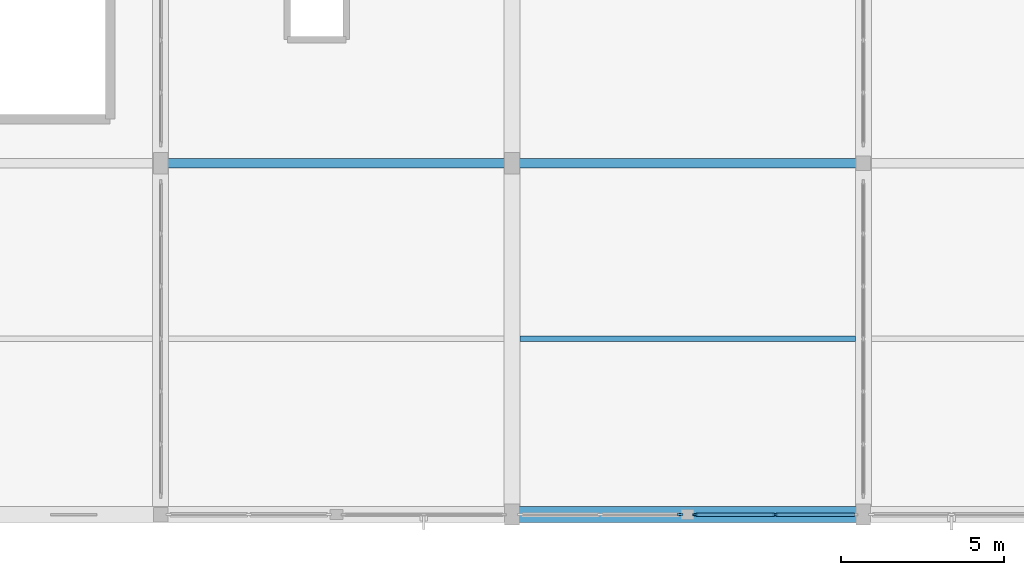
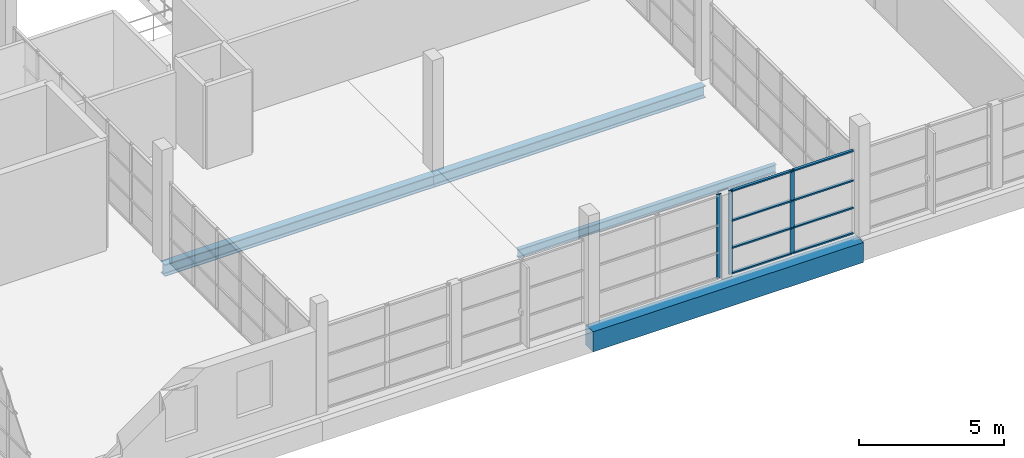
# One storey, part 8 of 142: 11 members, 4 beams, 2 elements without a shape of their own.
"""IFC4 building model written with IfcOpenShell, lengths in metres."""

from ifc_helpers import new_model, si_unit, direction, frame, origin, origin_2d, place, context, subcontext, project, spatial, rectangle, i_section, extrude, material, material_profile, profile_set, type_object, element, aggregate, save


model = new_model("IFC4")

# Units and contexts
model_context = context("Model", 3, precision=1e-05, world=origin(), true_north=direction((0.0, 1.0)))
body_context = subcontext(model_context, "Body", "Model", "MODEL_VIEW")
ifc_project = project(units=[si_unit("LENGTHUNIT", "METRE"), si_unit("AREAUNIT", "SQUARE_METRE"), si_unit("VOLUMEUNIT", "CUBIC_METRE"), si_unit("PLANEANGLEUNIT", "RADIAN"), si_unit("MASSUNIT", "GRAM", prefix="KILO")], contexts=[model_context])

# Site, building, storey
site_placement = place(None, origin())
site = spatial("IfcSite", under=ifc_project, at=site_placement, CompositionType="ELEMENT")
building_placement = place(site_placement, origin())
building = spatial("IfcBuilding", under=site, at=building_placement, Name="Zwinboog Wholesale Market", CompositionType="ELEMENT")
storey_placement = place(building_placement, frame((0.0, 0.0, 5.39990234375)))
storey = spatial("IfcBuildingStorey", under=building, at=storey_placement, Name="L01", CompositionType="ELEMENT", Elevation=5.39990234375)

# Beams
ifc_material_1 = material(Name="Precast concrete C45/55", Category="concrete")
ifc_material_profile_1 = material_profile(ifc_material_1, rectangle(XDim=0.5, YDim=0.85009765625, at=origin_2d()), Name="PC 500x850")
ifc_profile_set_1 = profile_set([ifc_material_profile_1], Name="Precast concrete C45/55")
beam_type_1 = type_object("IfcBeamType", Name="BT-03", PredefinedType="BEAM", material=ifc_profile_set_1)
beam_1_placement = place(storey_placement, frame((21.60009765625, 0.0, -0.7568359375), z_axis=(1.0, 0.0, 0.0), x_axis=(0.0, 1.0, 0.0)))
element("IfcBeam", 1, at=beam_1_placement, inside=storey, type_object=beam_type_1, Name="BG-03 (BMG-L01-0216-0000-0415)", PredefinedType="BEAM", context=body_context, shape_type="SweptSolid", body=[
    extrude(rectangle(XDim=0.5, YDim=0.85009765625, at=origin_2d()), origin(), (0.0, 0.0, 1.0), 10.7998046875),
])
ifc_material_2 = material(Name="Steel S355", Category="steel")
ifc_material_profile_2 = material_profile(ifc_material_2, i_section(OverallWidth=0.300048828125, OverallDepth=0.5, WebThickness=0.014404296875, FlangeThickness=0.028076171875, FilletRadius=0.027099609375, at=origin_2d()), Name="HEB 500")
ifc_profile_set_2 = profile_set([ifc_material_profile_2], Name="Steel S355")
beam_type_2 = type_object("IfcBeamType", Name="BT-14", PredefinedType="BEAM", material=ifc_profile_set_2)
beam_2_placement = place(storey_placement, frame((10.800048828125, 10.800048828125, -0.581787109375), z_axis=(1.0, 0.0, 0.0), x_axis=(0.0, 1.0, 0.0)))
element("IfcBeam", 2, at=beam_2_placement, inside=storey, type_object=beam_type_2, Name="SB-01 (BMG-L01-0108-0108-0426)", PredefinedType="BEAM", context=body_context, shape_type="SweptSolid", body=[
    extrude(i_section(OverallWidth=0.300048828125, OverallDepth=0.5, WebThickness=0.014404296875, FlangeThickness=0.028076171875, FilletRadius=0.027099609375, at=origin_2d()), origin(), (0.0, 0.0, 1.0), 10.800048828125),
])
beam_3_placement = place(storey_placement, frame((21.60009765625, 10.800048828125, -0.581787109375), z_axis=(1.0, 0.0, 0.0), x_axis=(0.0, 1.0, 0.0)))
element("IfcBeam", 3, at=beam_3_placement, inside=storey, type_object=beam_type_2, Name="SB-01 (BMG-L01-0216-0108-0427)", PredefinedType="BEAM", context=body_context, shape_type="SweptSolid", body=[
    extrude(i_section(OverallWidth=0.300048828125, OverallDepth=0.5, WebThickness=0.014404296875, FlangeThickness=0.028076171875, FilletRadius=0.027099609375, at=origin_2d()), origin(), (0.0, 0.0, 1.0), 10.7998046875),
])
ifc_material_profile_3 = material_profile(ifc_material_2, i_section(OverallWidth=0.169921875, OverallDepth=0.360107421875, WebThickness=0.008056640625, FlangeThickness=0.0126953125, FilletRadius=0.01806640625, at=origin_2d()), Name="IPE 360")
ifc_profile_set_3 = profile_set([ifc_material_profile_3], Name="Steel S355")
beam_type_3 = type_object("IfcBeamType", Name="BT-20", PredefinedType="JOIST", material=ifc_profile_set_3)
beam_4_placement = place(storey_placement, frame((21.85009765625, 5.39990234375, -0.511962890625), z_axis=(1.0, 0.0, 0.0), x_axis=(0.0, 1.0, 0.0)))
element("IfcBeam", 4, at=beam_4_placement, inside=storey, type_object=beam_type_3, Name="SJ-03 (BMG-L01-0218-0054-0784)", PredefinedType="JOIST", context=body_context, shape_type="SweptSolid", body=[
    extrude(i_section(OverallWidth=0.169921875, OverallDepth=0.360107421875, WebThickness=0.008056640625, FlangeThickness=0.0126953125, FilletRadius=0.01806640625, at=origin_2d()), origin(), (0.0, 0.0, 1.0), 10.2998046875),
])

# Curtain wall, member
ifc_material_3 = material(Name="Aluminium thermally broken curtain wall", Category="aluminium")
curtain_wall_type_1 = type_object("IfcCurtainWallType", Name="CWT-STALL-18", PredefinedType="USERDEFINED", material=ifc_material_3)
curtain_wall_1_placement = place(storey_placement, origin())
curtain_wall_1 = element("IfcCurtainWall", 5, at=curtain_wall_1_placement, inside=storey, type_object=curtain_wall_type_1, Name="CW-01 (CW-L01-067)", ObjectType="STOREFRONT_GLAZING", PredefinedType="USERDEFINED")
ifc_material_4 = material(Name="Aluminium EN AW-6060", Category="aluminium")
ifc_material_profile_4 = material_profile(ifc_material_4, rectangle(XDim=0.06494140625, YDim=0.179931640625, at=origin_2d()), Name="AL 65x180")
ifc_profile_set_4 = profile_set([ifc_material_profile_4], Name="Aluminium EN AW-6060")
member_type_1 = type_object("IfcMemberType", Name="CWM-65x180", PredefinedType="MULLION", material=ifc_profile_set_4)
member_1_placement = place(storey_placement, frame((26.767578125, 0.0, 0.0), z_axis=(0.0, 0.0, 1.0), x_axis=(0.0, 1.0, 0.0)))
member_1 = element("IfcMember", 6, at=member_1_placement, type_object=member_type_1, Name="CW-01 mullion 3", PredefinedType="MULLION", context=body_context, shape_type="SweptSolid", body=[
    extrude(rectangle(XDim=0.06494140625, YDim=0.179931640625, at=origin_2d()), origin(), (0.0, 0.0, 1.0), 3.530029296875),
])
aggregate(curtain_wall_1, [member_1])

# Curtain wall, members
curtain_wall_type_2 = type_object("IfcCurtainWallType", Name="CWT-STALL-20", PredefinedType="USERDEFINED", material=ifc_material_3)
curtain_wall_2_placement = place(storey_placement, origin())
curtain_wall_2 = element("IfcCurtainWall", 7, at=curtain_wall_2_placement, inside=storey, type_object=curtain_wall_type_2, Name="CW-02 (CW-L01-068)", ObjectType="STOREFRONT_GLAZING", PredefinedType="USERDEFINED")
ifc_material_profile_5 = material_profile(ifc_material_4, rectangle(XDim=0.06005859375, YDim=0.14990234375, at=origin_2d()), Name="AL 60x150")
ifc_profile_set_5 = profile_set([ifc_material_profile_5], Name="Aluminium EN AW-6060")
member_type_2 = type_object("IfcMemberType", Name="CWM-60x150", PredefinedType="MULLION", material=ifc_profile_set_5)
member_2_placement = place(storey_placement, frame((27.22998046875, 0.0, 0.0), z_axis=(0.0, 0.0, 1.0), x_axis=(0.0, 1.0, 0.0)))
member_2 = element("IfcMember", 8, at=member_2_placement, type_object=member_type_2, Name="CW-02 mullion 1", PredefinedType="MULLION", context=body_context, shape_type="SweptSolid", body=[
    extrude(rectangle(XDim=0.06005859375, YDim=0.14990234375, at=origin_2d()), origin(), (0.0, 0.0, 1.0), 3.530029296875),
])
member_3_placement = place(storey_placement, frame((29.68994140625, 0.0, 0.0), z_axis=(0.0, 0.0, 1.0), x_axis=(0.0, 1.0, 0.0)))
member_3 = element("IfcMember", 9, at=member_3_placement, type_object=member_type_2, Name="CW-02 mullion 2", PredefinedType="MULLION", context=body_context, shape_type="SweptSolid", body=[
    extrude(rectangle(XDim=0.06005859375, YDim=0.14990234375, at=origin_2d()), origin(), (0.0, 0.0, 1.0), 3.530029296875),
])
ifc_material_profile_6 = material_profile(ifc_material_4, rectangle(XDim=0.110107421875, YDim=0.06005859375, at=origin_2d()), Name="AL 60x110")
ifc_profile_set_6 = profile_set([ifc_material_profile_6], Name="Aluminium EN AW-6060")
member_type_3 = type_object("IfcMemberType", Name="CWT-60x110", PredefinedType="USERDEFINED", material=ifc_profile_set_6)
member_4_placement = place(storey_placement, frame((27.260009765625, 0.0, 0.030029296875), z_axis=(1.0, 0.0, 0.0), x_axis=(0.0, 1.0, 0.0)))
member_4 = element("IfcMember", 10, at=member_4_placement, type_object=member_type_3, Name="CW-02 transom 1.1", ObjectType="TRANSOM", PredefinedType="USERDEFINED", context=body_context, shape_type="SweptSolid", body=[
    extrude(rectangle(XDim=0.110107421875, YDim=0.06005859375, at=origin_2d()), origin(), (0.0, 0.0, 1.0), 2.39990234375),
])
member_5_placement = place(storey_placement, frame((27.260009765625, 0.0, 1.10009765625), z_axis=(1.0, 0.0, 0.0), x_axis=(0.0, 1.0, 0.0)))
member_5 = element("IfcMember", 11, at=member_5_placement, type_object=member_type_3, Name="CW-02 transom 1.2", ObjectType="TRANSOM", PredefinedType="USERDEFINED", context=body_context, shape_type="SweptSolid", body=[
    extrude(rectangle(XDim=0.110107421875, YDim=0.06005859375, at=origin_2d()), origin(), (0.0, 0.0, 1.0), 2.39990234375),
])
member_6_placement = place(storey_placement, frame((27.260009765625, 0.0, 2.25), z_axis=(1.0, 0.0, 0.0), x_axis=(0.0, 1.0, 0.0)))
member_6 = element("IfcMember", 12, at=member_6_placement, type_object=member_type_3, Name="CW-02 transom 1.3", ObjectType="TRANSOM", PredefinedType="USERDEFINED", context=body_context, shape_type="SweptSolid", body=[
    extrude(rectangle(XDim=0.110107421875, YDim=0.06005859375, at=origin_2d()), origin(), (0.0, 0.0, 1.0), 2.39990234375),
])
member_7_placement = place(storey_placement, frame((27.260009765625, 0.0, 3.5), z_axis=(1.0, 0.0, 0.0), x_axis=(0.0, 1.0, 0.0)))
member_7 = element("IfcMember", 13, at=member_7_placement, type_object=member_type_3, Name="CW-02 transom 1.4", ObjectType="TRANSOM", PredefinedType="USERDEFINED", context=body_context, shape_type="SweptSolid", body=[
    extrude(rectangle(XDim=0.110107421875, YDim=0.06005859375, at=origin_2d()), origin(), (0.0, 0.0, 1.0), 2.39990234375),
])
member_8_placement = place(storey_placement, frame((29.719970703125, 0.0, 0.030029296875), z_axis=(1.0, 0.0, 0.0), x_axis=(0.0, 1.0, 0.0)))
member_8 = element("IfcMember", 14, at=member_8_placement, type_object=member_type_3, Name="CW-02 transom 2.1", ObjectType="TRANSOM", PredefinedType="USERDEFINED", context=body_context, shape_type="SweptSolid", body=[
    extrude(rectangle(XDim=0.110107421875, YDim=0.06005859375, at=origin_2d()), origin(), (0.0, 0.0, 1.0), 2.400146484375),
])
member_9_placement = place(storey_placement, frame((29.719970703125, 0.0, 1.10009765625), z_axis=(1.0, 0.0, 0.0), x_axis=(0.0, 1.0, 0.0)))
member_9 = element("IfcMember", 15, at=member_9_placement, type_object=member_type_3, Name="CW-02 transom 2.2", ObjectType="TRANSOM", PredefinedType="USERDEFINED", context=body_context, shape_type="SweptSolid", body=[
    extrude(rectangle(XDim=0.110107421875, YDim=0.06005859375, at=origin_2d()), origin(), (0.0, 0.0, 1.0), 2.400146484375),
])
member_10_placement = place(storey_placement, frame((29.719970703125, 0.0, 2.25), z_axis=(1.0, 0.0, 0.0), x_axis=(0.0, 1.0, 0.0)))
member_10 = element("IfcMember", 16, at=member_10_placement, type_object=member_type_3, Name="CW-02 transom 2.3", ObjectType="TRANSOM", PredefinedType="USERDEFINED", context=body_context, shape_type="SweptSolid", body=[
    extrude(rectangle(XDim=0.110107421875, YDim=0.06005859375, at=origin_2d()), origin(), (0.0, 0.0, 1.0), 2.400146484375),
])
member_11_placement = place(storey_placement, frame((29.719970703125, 0.0, 3.5), z_axis=(1.0, 0.0, 0.0), x_axis=(0.0, 1.0, 0.0)))
member_11 = element("IfcMember", 17, at=member_11_placement, type_object=member_type_3, Name="CW-02 transom 2.4", ObjectType="TRANSOM", PredefinedType="USERDEFINED", context=body_context, shape_type="SweptSolid", body=[
    extrude(rectangle(XDim=0.110107421875, YDim=0.06005859375, at=origin_2d()), origin(), (0.0, 0.0, 1.0), 2.400146484375),
])
aggregate(curtain_wall_2, [member_2, member_3, member_4, member_5, member_6, member_7, member_8, member_9, member_10, member_11])

save(model, "model.ifc")
